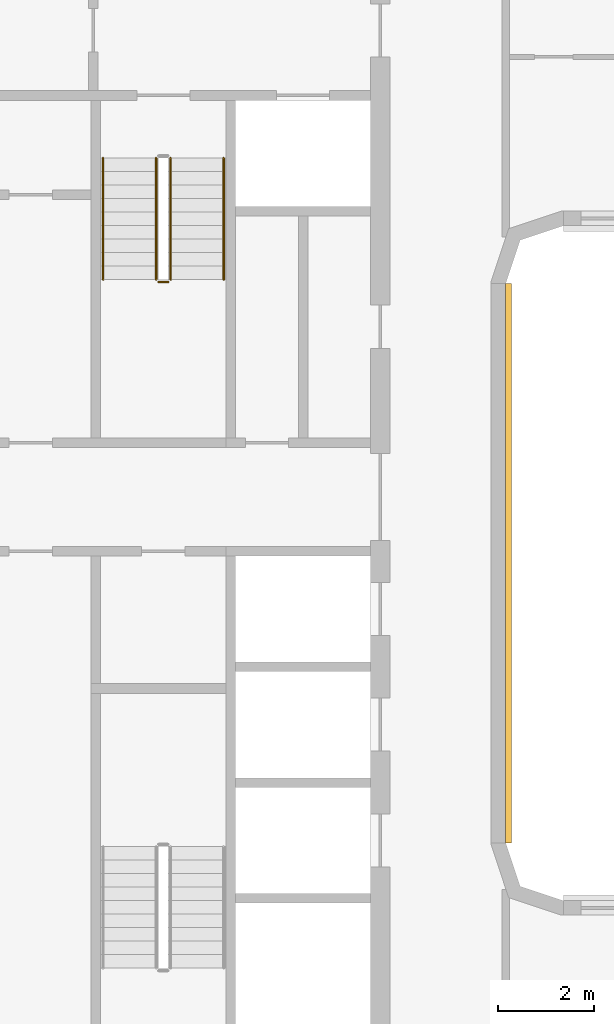
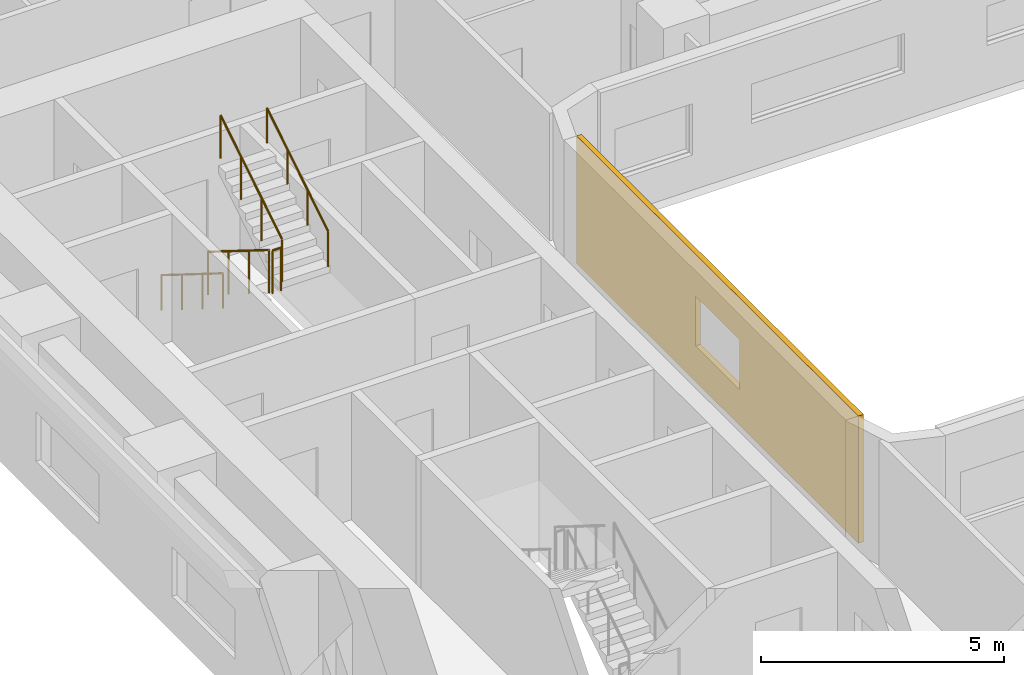
# One storey, part 16 of 22: 5 railings, 1 covering.
"""IFC4 building model written with IfcOpenShell, lengths in metres."""

from ifc_helpers import new_model, si_unit, direction, frame, origin, origin_2d, place, context, subcontext, project, spatial, polyline, circle, outline, extrude, material, layer, layer_set, type_object, element, save


model = new_model("IFC4")

# Units and contexts
model_context = context("Model", 3, precision=1e-05, world=origin(), true_north=direction((0.0, 1.0)))
body_context = subcontext(model_context, "Body", "Model", "MODEL_VIEW")
ifc_project = project(units=[si_unit("LENGTHUNIT", "METRE"), si_unit("AREAUNIT", "SQUARE_METRE"), si_unit("VOLUMEUNIT", "CUBIC_METRE"), si_unit("PLANEANGLEUNIT", "RADIAN"), si_unit("MASSUNIT", "GRAM", prefix="KILO")], contexts=[model_context])

# Site, building, storey
site_placement = place(None, origin())
site = spatial("IfcSite", under=ifc_project, at=site_placement, CompositionType="ELEMENT")
building_placement = place(site_placement, origin())
building = spatial("IfcBuilding", under=site, at=building_placement, Name="Kiln Ring Residences", CompositionType="ELEMENT")
storey_placement = place(building_placement, frame((0.0, 0.0, 62.0)))
storey = spatial("IfcBuildingStorey", under=building, at=storey_placement, Name="L15", CompositionType="ELEMENT", Elevation=62.0)

# Railings
ifc_material_1 = material(Name="Stainless steel", Category="steel")
railing_type_1 = type_object("IfcRailingType", Name="CORE-STAIR-GUARD", PredefinedType="GUARDRAIL", material=ifc_material_1)
railing_1_placement = place(storey_placement, frame((-22.25, 8.39990234375, 0.175048828125)))
element("IfcRailing", 1, at=railing_1_placement, inside=storey, type_object=railing_type_1, Name="L15 W-STN stair guard 1", PredefinedType="GUARDRAIL", context=body_context, shape_type="SweptSolid", body=[
    extrude(circle(Radius=0.02392578125, at=origin_2d()), frame((0.0, 0.0, 1.076171875), z_axis=(0.0, -0.848007534815, 0.529984170421), x_axis=(1.0, 0.0, 0.0)), (0.0, 0.0, 1.0), 2.9716796875),
    extrude(circle(Radius=0.02099609375, at=origin_2d()), origin(), (0.0, 0.0, 1.0), 1.052001953125),
    extrude(circle(Radius=0.02099609375, at=origin_2d()), frame((0.0, -0.840087890625, 0.52490234375)), (0.0, 0.0, 1.0), 1.052001953125),
    extrude(circle(Radius=0.02099609375, at=origin_2d()), frame((0.0, -1.679931640625, 1.050048828125)), (0.0, 0.0, 1.0), 1.052001953125),
    extrude(circle(Radius=0.02099609375, at=origin_2d()), frame((0.0, -2.52001953125, 1.574951171875)), (0.0, 0.0, 1.0), 1.052001953125),
])
railing_2_placement = place(storey_placement, frame((-22.199951171875, 5.830078125, 1.75)))
element("IfcRailing", 2, at=railing_2_placement, inside=storey, type_object=railing_type_1, Name="L15 W-STN stair guard 2", PredefinedType="GUARDRAIL", context=body_context, shape_type="SweptSolid", body=[
    extrude(circle(Radius=0.02392578125, at=origin_2d()), frame((0.0, 0.0, 1.076171875), z_axis=(1.0, 0.0, 0.0), x_axis=(0.0, 1.0, 0.0)), (0.0, 0.0, 1.0), 0.199951171875),
    extrude(circle(Radius=0.02099609375, at=origin_2d()), origin(), (0.0, 0.0, 1.0), 1.052001953125),
    extrude(circle(Radius=0.02099609375, at=origin_2d()), frame((0.199951171875, 0.0, 0.0)), (0.0, 0.0, 1.0), 1.052001953125),
])
railing_3_placement = place(storey_placement, frame((-21.949951171875, 5.8798828125, 1.925048828125)))
element("IfcRailing", 3, at=railing_3_placement, inside=storey, type_object=railing_type_1, Name="L15 W-STN stair guard 3", PredefinedType="GUARDRAIL", context=body_context, shape_type="SweptSolid", body=[
    extrude(circle(Radius=0.02392578125, at=origin_2d()), frame((0.0, 0.0, 1.076171875), z_axis=(0.0, 0.848007534815, 0.529984170421), x_axis=(-1.0, 0.0, 0.0)), (0.0, 0.0, 1.0), 2.9716796875),
    extrude(circle(Radius=0.02099609375, at=origin_2d()), origin(), (0.0, 0.0, 1.0), 1.052001953125),
    extrude(circle(Radius=0.02099609375, at=origin_2d()), frame((0.0, 0.840087890625, 0.52490234375)), (0.0, 0.0, 1.0), 1.052001953125),
    extrude(circle(Radius=0.02099609375, at=origin_2d()), frame((0.0, 1.679931640625, 1.050048828125)), (0.0, 0.0, 1.0), 1.052001953125),
    extrude(circle(Radius=0.02099609375, at=origin_2d()), frame((0.0, 2.52001953125, 1.574951171875)), (0.0, 0.0, 1.0), 1.052001953125),
])
ifc_material_2 = material(Name="Stainless steel", Category="steel")
railing_type_2 = type_object("IfcRailingType", Name="CORE-STAIR-HANDRAIL", PredefinedType="HANDRAIL", material=ifc_material_2)
railing_4_placement = place(storey_placement, frame((-23.35009765625, 8.39990234375, 0.175048828125)))
element("IfcRailing", 4, at=railing_4_placement, inside=storey, type_object=railing_type_2, Name="L15 W-STN stair handrail 1", PredefinedType="HANDRAIL", context=body_context, shape_type="SweptSolid", body=[
    extrude(circle(Radius=0.02392578125, at=origin_2d()), frame((0.0, 0.0, 0.8759765625), z_axis=(0.0, -0.848007534815, 0.529984170421), x_axis=(1.0, 0.0, 0.0)), (0.0, 0.0, 1.0), 2.9716796875),
    extrude(circle(Radius=0.02099609375, at=origin_2d()), origin(), (0.0, 0.0, 1.0), 0.851806640625),
    extrude(circle(Radius=0.02099609375, at=origin_2d()), frame((0.0, -0.840087890625, 0.52490234375)), (0.0, 0.0, 1.0), 0.851806640625),
    extrude(circle(Radius=0.02099609375, at=origin_2d()), frame((0.0, -1.679931640625, 1.050048828125)), (0.0, 0.0, 1.0), 0.851806640625),
    extrude(circle(Radius=0.02099609375, at=origin_2d()), frame((0.0, -2.52001953125, 1.574951171875)), (0.0, 0.0, 1.0), 0.851806640625),
])
railing_5_placement = place(storey_placement, frame((-20.85009765625, 5.8798828125, 1.925048828125)))
element("IfcRailing", 5, at=railing_5_placement, inside=storey, type_object=railing_type_2, Name="L15 W-STN stair handrail 2", PredefinedType="HANDRAIL", context=body_context, shape_type="SweptSolid", body=[
    extrude(circle(Radius=0.02392578125, at=origin_2d()), frame((0.0, 0.0, 0.8759765625), z_axis=(0.0, 0.848007534815, 0.529984170421), x_axis=(-1.0, 0.0, 0.0)), (0.0, 0.0, 1.0), 2.9716796875),
    extrude(circle(Radius=0.02099609375, at=origin_2d()), origin(), (0.0, 0.0, 1.0), 0.851806640625),
    extrude(circle(Radius=0.02099609375, at=origin_2d()), frame((0.0, 0.840087890625, 0.52490234375)), (0.0, 0.0, 1.0), 0.851806640625),
    extrude(circle(Radius=0.02099609375, at=origin_2d()), frame((0.0, 1.679931640625, 1.050048828125)), (0.0, 0.0, 1.0), 0.851806640625),
    extrude(circle(Radius=0.02099609375, at=origin_2d()), frame((0.0, 2.52001953125, 1.574951171875)), (0.0, 0.0, 1.0), 0.851806640625),
])

# Covering
ifc_material_3 = material(Name="Brick masonry, dark clay brick", Category="masonry")
ifc_layer = layer(ifc_material_3, 0.1201171875)
ifc_layer_set = layer_set([ifc_layer], Name="RAINSCREEN PANEL 120")
covering_type = type_object("IfcCoveringType", Name="RAINSCREEN PANEL 120", PredefinedType="CLADDING", material=ifc_layer_set)
covering_placement = place(storey_placement, frame((-14.93994140625, -5.800048828125, 0.0), z_axis=(0.0, 0.0, 1.0), x_axis=(0.0, 1.0, 0.0)))
element("IfcCovering", 6, at=covering_placement, inside=storey, type_object=covering_type, Name="RAINSCREEN L15", PredefinedType="CLADDING", context=body_context, shape_type="SweptSolid", body=[
    extrude(outline(polyline([(0.0, 0.0), (11.60009765625, 0.0), (11.60009765625, 3.199951171875), (0.0, 3.199951171875), (0.0, 0.0)]), holes=[polyline([(4.89990234375, 2.14990234375), (4.89990234375, 0.89990234375), (6.699951171875, 0.89990234375), (6.699951171875, 2.14990234375), (4.89990234375, 2.14990234375)])]), frame((0.0, 0.06005859375, 0.0), z_axis=(0.0, -1.0, 0.0), x_axis=(1.0, 0.0, 0.0)), (0.0, 0.0, 1.0), 0.1201171875),
])

save(model, "model.ifc")
